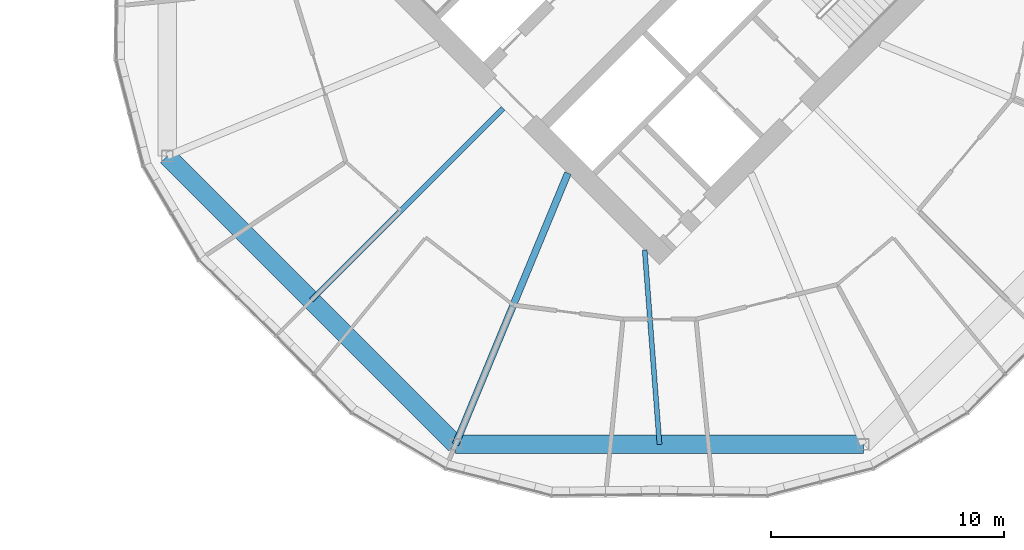
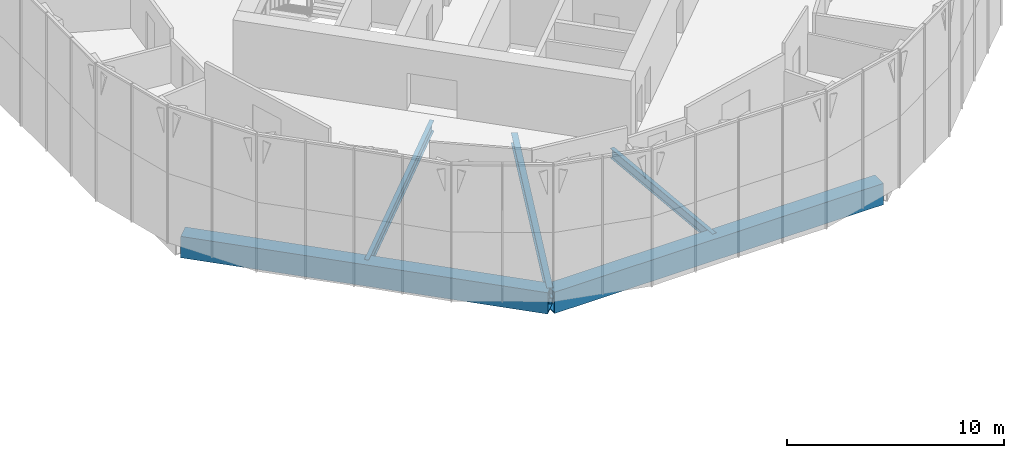
# One storey, part 11 of 31: 5 beams.
"""IFC4 building model written with IfcOpenShell, lengths in metres."""

import ifcopenshell
import ifcopenshell.guid

model = None  # the IFC model being written
_history = None  # IfcOwnerHistory: only IFC2X3 demands one
_inside = {}  # id of a spatial element -> (the spatial element, [elements in it])
_under = {}  # id of a project, library or spatial element -> (it, [spatial elements below it])
_declared = {}  # id of a project -> (the project, [libraries it declares])
_typed = {}  # id of a type object -> (the type object, [elements of that type])
_made_of = {}  # id of a material, layer set ... -> (it, [elements and type objects made of it])


def new_model(schema):
    """Start an empty IFC model of exactly this schema.

    Asked for "IFC4X3", IfcOpenShell would pick the latest addendum, in which some entities
    have other attributes; the version numbers below select the first issue.
    IFC2X3 requires an IfcOwnerHistory on every rooted entity: one is made here for all.
    """
    global model, _history
    if schema == "IFC4X3":
        model = ifcopenshell.file(schema_version=(4, 3, 0, 0))
    else:
        model = ifcopenshell.file(schema=schema)
    _inside.clear()
    _under.clear()
    _declared.clear()
    _typed.clear()
    _made_of.clear()
    _history = None
    if model.schema == "IFC2X3":
        org = make("IfcOrganization", Name="unknown")
        user = make(
            "IfcPersonAndOrganization",
            ThePerson=make("IfcPerson", FamilyName="unknown"),
            TheOrganization=org,
        )
        app = make(
            "IfcApplication",
            ApplicationDeveloper=org,
            Version="unknown",
            ApplicationFullName="unknown",
            ApplicationIdentifier="unknown",
        )
        _history = make(
            "IfcOwnerHistory",
            OwningUser=user,
            OwningApplication=app,
            ChangeAction="ADDED",
            CreationDate=0,
        )
    return model


def make(cls, **values):
    """One entity of the class cls with the attributes given. An attribute that is None is left unset."""
    return model.create_entity(
        cls, **{name: value for name, value in values.items() if value is not None}
    )


def rooted(cls, **values):
    """An entity with a GlobalId (a new one), such as an element, a storey or a relation."""
    return make(cls, GlobalId=ifcopenshell.guid.new(), OwnerHistory=_history, **values)


def si_unit(unit_type, name, prefix=None):
    """IfcSIUnit, for example si_unit("LENGTHUNIT", "METRE", prefix="MILLI")."""
    return make("IfcSIUnit", UnitType=unit_type, Prefix=prefix, Name=name)


def assignment(units):
    """IfcUnitAssignment: the units of a project."""
    return None if units is None else make("IfcUnitAssignment", Units=units)


def point(xyz):
    """IfcCartesianPoint."""
    return None if xyz is None else make("IfcCartesianPoint", Coordinates=xyz)


def direction(xyz):
    """IfcDirection."""
    return None if xyz is None else make("IfcDirection", DirectionRatios=xyz)


def frame(location, z_axis=None, x_axis=None):
    """IfcAxis2Placement3D, a coordinate frame: its origin and axes. An axis left out is left unset."""
    return make(
        "IfcAxis2Placement3D",
        Location=point(location),
        Axis=direction(z_axis),
        RefDirection=direction(x_axis),
    )


def frame_2d(location, x_axis=None):
    """IfcAxis2Placement2D, a coordinate frame in the plane: its origin and x axis."""
    return make(
        "IfcAxis2Placement2D", Location=point(location), RefDirection=direction(x_axis)
    )


def origin():
    """The frame at (0, 0, 0) with its axes left unset."""
    return frame((0.0, 0.0, 0.0))


def origin_2d():
    """The frame at (0, 0) in the plane with its x axis left unset."""
    return frame_2d((0.0, 0.0))


def place(relative_to, where):
    """IfcLocalPlacement: puts the frame where relative to a parent placement (None: the world)."""
    return make(
        "IfcLocalPlacement", PlacementRelTo=relative_to, RelativePlacement=where
    )


def context(
    kind, dimensions, precision=None, world=None, true_north=None, identifier=None
):
    """IfcGeometricRepresentationContext, for example the 3D "Model" context."""
    return make(
        "IfcGeometricRepresentationContext",
        ContextIdentifier=identifier,
        ContextType=kind,
        CoordinateSpaceDimension=dimensions,
        Precision=precision,
        WorldCoordinateSystem=world,
        TrueNorth=true_north,
    )


def subcontext(parent, identifier, kind, view, scale=None):
    """IfcGeometricRepresentationSubContext, for example "Body" below "Model"."""
    return make(
        "IfcGeometricRepresentationSubContext",
        ContextIdentifier=identifier,
        ContextType=kind,
        ParentContext=parent,
        TargetScale=scale,
        TargetView=view,
    )


def project(units=None, contexts=None):
    """IfcProject with its units and contexts."""
    return rooted(
        "IfcProject",
        Name="project",
        RepresentationContexts=contexts,
        UnitsInContext=assignment(units),
    )


def spatial(cls, under=None, at=None, **own):
    """A site, building, storey or space (cls), placed at a placement, below another one or the project."""
    s = rooted(cls, ObjectPlacement=at, **own)
    if under is not None:
        _under.setdefault(under.id(), (under, []))[1].append(s)
    return s


def profile(cls, at=None, kind="AREA", **sizes):
    """A parametric profile (cls). Its sizes go by their IFC names, for example OverallWidth=200.0."""
    return make(cls, ProfileType=kind, Position=at, **sizes)


def hollow_rectangle(**sizes):
    """IfcRectangleHollowProfileDef."""
    return profile("IfcRectangleHollowProfileDef", **sizes)


def i_section(**sizes):
    """IfcIShapeProfileDef."""
    return profile("IfcIShapeProfileDef", **sizes)


def extrude(swept, where, along, depth):
    """IfcExtrudedAreaSolid: the profile swept, set in the frame where, extruded along a direction by depth."""
    return make(
        "IfcExtrudedAreaSolid",
        SweptArea=swept,
        Position=where,
        ExtrudedDirection=direction(along),
        Depth=depth,
    )


def shape(context_of_items, identifier, shape_type, items):
    """IfcShapeRepresentation: the items that make up one representation, for example the "Body"."""
    return make(
        "IfcShapeRepresentation",
        ContextOfItems=context_of_items,
        RepresentationIdentifier=identifier,
        RepresentationType=shape_type,
        Items=items,
    )


def material(Name=None, Category=None):
    """IfcMaterial."""
    return make("IfcMaterial", Name=Name, Category=Category)


def material_profile(
    of_material, cross_section, Name=None, Category=None, Priority=None
):
    """IfcMaterialProfile: a cross section and its material."""
    return make(
        "IfcMaterialProfile",
        Name=Name,
        Material=of_material,
        Profile=cross_section,
        Priority=Priority,
        Category=Category,
    )


def profile_set(profiles, Name=None, composite=None):
    """IfcMaterialProfileSet."""
    return make(
        "IfcMaterialProfileSet",
        Name=Name,
        MaterialProfiles=profiles,
        CompositeProfile=composite,
    )


def made_of(thing, what):
    """Note that an element or type object is made of a material, layer set ...; save() writes the relation."""
    if what is not None:
        _made_of.setdefault(what.id(), (what, []))[1].append(thing)
    return thing


def type_object(cls, material=None, **own):
    """A type object (cls), such as IfcWallType, which elements share."""
    return made_of(rooted(cls, **own), material)


def element(
    cls,
    number,
    at=None,
    inside=None,
    cuts=None,
    type_object=None,
    material=None,
    context=None,
    identifier="Body",
    shape_type=None,
    held_by="IfcProductDefinitionShape",
    body=None,
    shapes=None,
    **own,
):
    """One element of the class cls, such as IfcWall. Its Tag is "e" and its number.

    at: its placement. inside: the storey or other place that contains it. cuts: it is an
    opening in that element (IfcRelVoidsElement). A single representation is given by context,
    identifier, shape_type and body (its items); several are given by shapes. held_by: the class
    of the entity that holds the representations. save() writes the other relations.
    """
    e = rooted(cls, Tag="e%d" % number, ObjectPlacement=at, **own)
    if body is not None:
        shapes = [shape(context, identifier, shape_type, body)]
    if shapes is not None:
        e.Representation = make(held_by, Representations=shapes)
    if inside is not None:
        _inside.setdefault(inside.id(), (inside, []))[1].append(e)
    if cuts is not None:
        rooted(
            "IfcRelVoidsElement", RelatingBuildingElement=cuts, RelatedOpeningElement=e
        )
    if type_object is not None:
        _typed.setdefault(type_object.id(), (type_object, []))[1].append(e)
    return made_of(e, material)


def aggregate(whole, parts):
    """IfcRelAggregates: a whole, such as a stair, and the parts it consists of."""
    return rooted("IfcRelAggregates", RelatingObject=whole, RelatedObjects=parts)


def save(model, path):
    """Write the relations noted so far, then the file.

    IfcRelAggregates (storeys below a building ...), IfcRelContainedInSpatialStructure (elements
    in a storey), IfcRelDefinesByType, IfcRelAssociatesMaterial and IfcRelDeclares: one each for
    every whole, place, type object, material and project.
    """
    for whole, parts in _under.values():
        aggregate(whole, parts)
    for where, things in _inside.values():
        rooted(
            "IfcRelContainedInSpatialStructure",
            RelatedElements=things,
            RelatingStructure=where,
        )
    for kind, things in _typed.values():
        rooted("IfcRelDefinesByType", RelatedObjects=things, RelatingType=kind)
    for what, things in _made_of.values():
        rooted("IfcRelAssociatesMaterial", RelatedObjects=things, RelatingMaterial=what)
    for by, libraries in _declared.values():
        rooted("IfcRelDeclares", RelatingContext=by, RelatedDefinitions=libraries)
    model.write(path)


model = new_model("IFC4")

# Units and contexts
model_context = context("Model", 3, precision=1e-05, world=origin(), true_north=direction((0.0, 1.0)))
body_context = subcontext(model_context, "Body", "Model", "MODEL_VIEW")
ifc_project = project(units=[si_unit("LENGTHUNIT", "METRE"), si_unit("AREAUNIT", "SQUARE_METRE"), si_unit("VOLUMEUNIT", "CUBIC_METRE"), si_unit("PLANEANGLEUNIT", "RADIAN"), si_unit("MASSUNIT", "GRAM", prefix="KILO")], contexts=[model_context])

# Site, building, storey
site_placement = place(None, origin())
site = spatial("IfcSite", under=ifc_project, at=site_placement, CompositionType="ELEMENT")
building_placement = place(site_placement, origin())
building = spatial("IfcBuilding", under=site, at=building_placement, Name="Ogive Gate Towers", CompositionType="ELEMENT")
storey_placement = place(building_placement, frame((0.0, 0.0, 63.60009765625)))
storey = spatial("IfcBuildingStorey", under=building, at=storey_placement, Name="L14", CompositionType="ELEMENT", Elevation=63.60009765625)

# Beams
ifc_material_1 = material(Name="Steel SM460", Category="steel")
ifc_material_profile_1 = material_profile(ifc_material_1, hollow_rectangle(XDim=0.800048828125, YDim=1.199951171875, WallThickness=0.050048828125, at=origin_2d()), Name="BX 1200x800x50")
ifc_profile_set_1 = profile_set([ifc_material_profile_1], Name="Steel SM460")
beam_type_1 = type_object("IfcBeamType", Name="Edge girder BX 1200x800x50", PredefinedType="BEAM", material=ifc_profile_set_1)
for number, where, z_axis, x_axis, name in (
    (1, (14.84326171875, -8.763427734375, -0.900146484375), (0.707106781187, -0.707106781187, 0.0), (0.707106781187, 0.707106781187, 0.0), "T2/L14/SBM017"),
    (2, (27.236572265625, -21.15673828125, -0.900146484375), (1.0, 0.0, 0.0), (0.0, 1.0, 0.0), "T2/L14/SBM018"),
):
    element("IfcBeam", number, at=place(storey_placement, frame(where, z_axis=z_axis, x_axis=x_axis)), inside=storey, type_object=beam_type_1, Name=name, PredefinedType="BEAM", context=body_context, shape_type="SweptSolid", body=[
        extrude(hollow_rectangle(XDim=0.800048828125, YDim=1.199951171875, WallThickness=0.050048828125, at=origin_2d()), origin(), (0.0, 0.0, 1.0), 17.52685546875),
    ])
ifc_material_2 = material(Name="Steel SM355", Category="steel")
ifc_material_profile_2 = material_profile(ifc_material_2, i_section(OverallWidth=0.300048828125, OverallDepth=0.590087890625, WebThickness=0.012939453125, FlangeThickness=0.02490234375, FilletRadius=0.027099609375, at=origin_2d()), Name="HE 600 A")
ifc_profile_set_2 = profile_set([ifc_material_profile_2], Name="Steel SM355")
beam_type_2 = type_object("IfcBeamType", Name="Radial floor beam HE 600 A", PredefinedType="BEAM", material=ifc_profile_set_2)
beam_1_placement = place(storey_placement, frame((32.06494140625, -9.5, -0.59521484375), z_axis=(-0.382682759347, -0.923879811284, 0.0), x_axis=(0.923879811284, -0.382682759347, 0.0)))
element("IfcBeam", 3, at=beam_1_placement, inside=storey, type_object=beam_type_2, Name="T2/L14/SBM003", PredefinedType="BEAM", context=body_context, shape_type="SweptSolid", body=[
    extrude(i_section(OverallWidth=0.300048828125, OverallDepth=0.590087890625, WebThickness=0.012939453125, FlangeThickness=0.02490234375, FilletRadius=0.027099609375, at=origin_2d()), origin(), (0.0, 0.0, 1.0), 12.6171875),
])
ifc_material_profile_3 = material_profile(ifc_material_2, i_section(OverallWidth=0.2099609375, OverallDepth=0.550048828125, WebThickness=0.010986328125, FlangeThickness=0.01708984375, FilletRadius=0.02392578125, at=origin_2d()), Name="IPE 550")
ifc_profile_set_3 = profile_set([ifc_material_profile_3], Name="Steel SM355")
beam_type_3 = type_object("IfcBeamType", Name="Radial floor beam IPE 550", PredefinedType="BEAM", material=ifc_profile_set_3)
beam_2_placement = place(storey_placement, frame((35.363525390625, -12.798583984375, -0.5751953125), z_axis=(0.075930303007, -0.997113127526, 0.0), x_axis=(0.997113127526, 0.075930303007, 0.0)))
element("IfcBeam", 4, at=beam_2_placement, inside=storey, type_object=beam_type_3, Name="T2/L14/SBM004", PredefinedType="BEAM", context=body_context, shape_type="SweptSolid", body=[
    extrude(i_section(OverallWidth=0.2099609375, OverallDepth=0.550048828125, WebThickness=0.010986328125, FlangeThickness=0.01708984375, FilletRadius=0.02392578125, at=origin_2d()), origin(), (0.0, 0.0, 1.0), 8.38232421875),
])
ifc_material_profile_4 = material_profile(ifc_material_2, i_section(OverallWidth=0.219970703125, OverallDepth=0.60009765625, WebThickness=0.011962890625, FlangeThickness=0.01904296875, FilletRadius=0.02392578125, at=origin_2d()), Name="IPE 600")
ifc_profile_set_4 = profile_set([ifc_material_profile_4], Name="Steel SM355")
beam_type_4 = type_object("IfcBeamType", Name="Radial floor beam IPE 600", PredefinedType="BEAM", material=ifc_profile_set_4)
beam_3_placement = place(storey_placement, frame((29.282470703125, -6.717529296875, -0.60009765625), z_axis=(-0.707106781187, -0.707106781187, 0.0), x_axis=(0.707106781187, -0.707106781187, 0.0)))
element("IfcBeam", 5, at=beam_3_placement, inside=storey, type_object=beam_type_4, Name="T2/L14/SBM002", PredefinedType="BEAM", context=body_context, shape_type="SweptSolid", body=[
    extrude(i_section(OverallWidth=0.219970703125, OverallDepth=0.60009765625, WebThickness=0.011962890625, FlangeThickness=0.01904296875, FilletRadius=0.02392578125, at=origin_2d()), origin(), (0.0, 0.0, 1.0), 11.656982421875),
])

save(model, "model.ifc")
